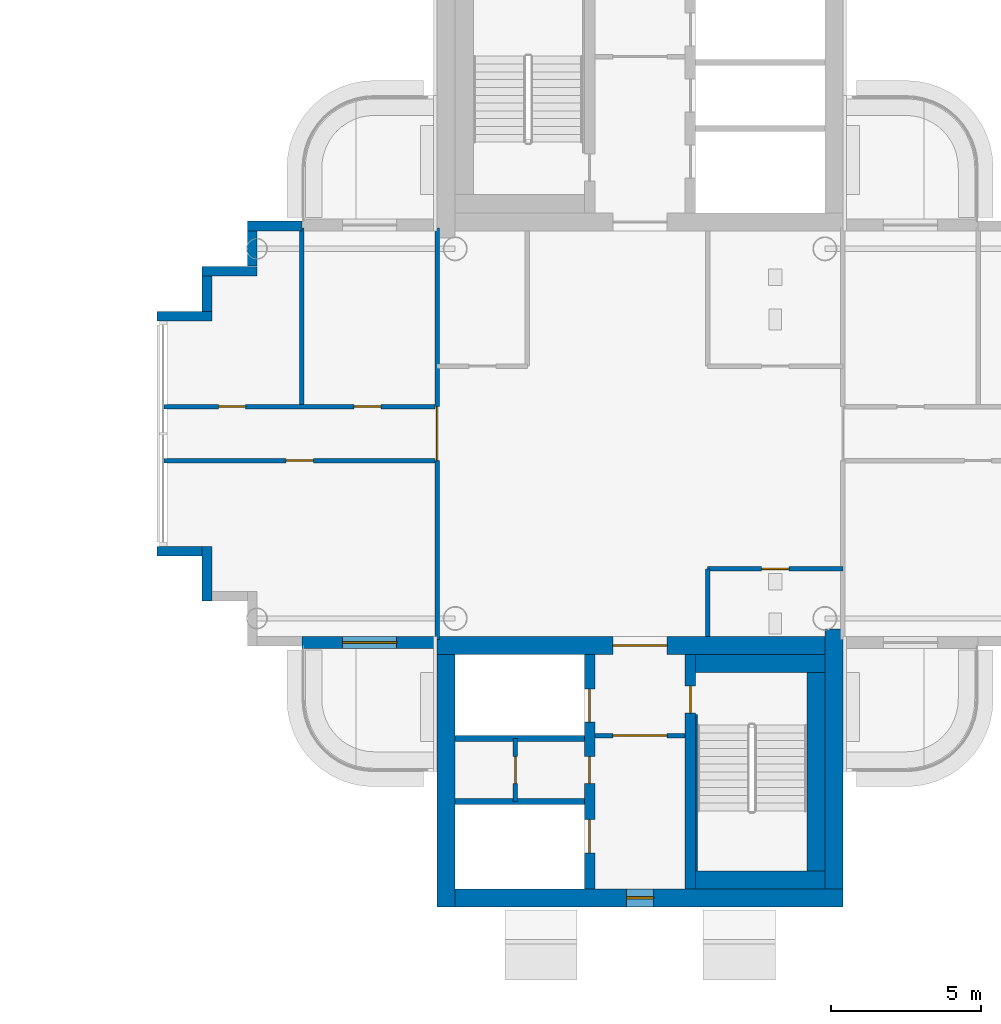
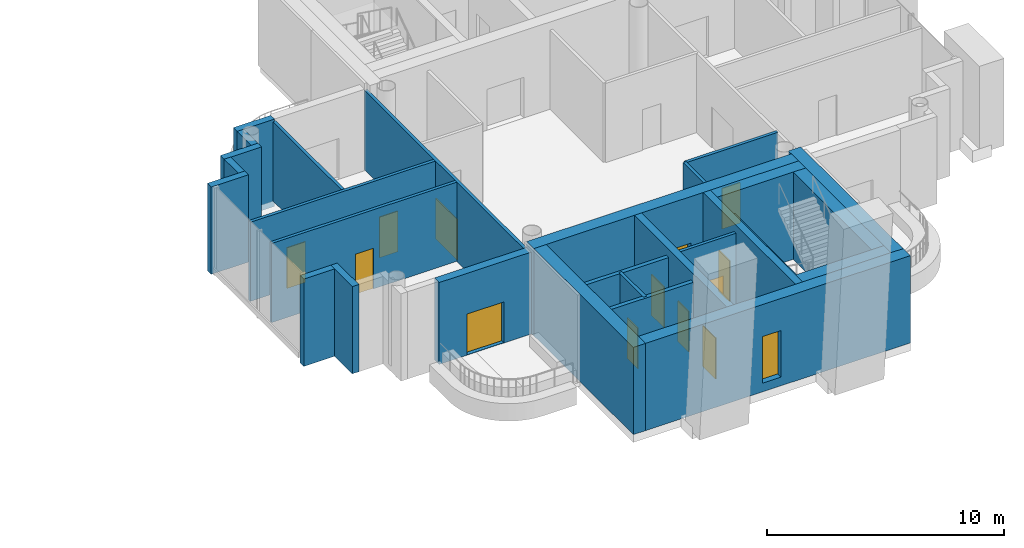
# One storey, part 9 of 20: 28 walls, 13 doors, 1 window, 14 openings.
"""IFC4 building model written with IfcOpenShell, lengths in metres."""

from ifc_helpers import new_model, si_unit, direction, frame, frame_2d, origin, place, context, subcontext, project, spatial, rectangle, extrude, material, layer, layer_set, type_object, element, fill, save


model = new_model("IFC4")

# Units and contexts
model_context = context("Model", 3, precision=1e-05, world=origin(), true_north=direction((0.0, 1.0)))
body_context = subcontext(model_context, "Body", "Model", "MODEL_VIEW")
ifc_project = project(units=[si_unit("LENGTHUNIT", "METRE"), si_unit("AREAUNIT", "SQUARE_METRE"), si_unit("VOLUMEUNIT", "CUBIC_METRE"), si_unit("PLANEANGLEUNIT", "RADIAN"), si_unit("MASSUNIT", "GRAM", prefix="KILO")], contexts=[model_context])

# Site, building, storey
site_placement = place(None, origin())
site = spatial("IfcSite", under=ifc_project, at=site_placement, CompositionType="ELEMENT")
building_placement = place(site_placement, origin())
building = spatial("IfcBuilding", under=site, at=building_placement, Name="Ipe Terrace Towers", CompositionType="ELEMENT")
storey_placement = place(building_placement, frame((0.0, 0.0, 242.39990234375)))
storey = spatial("IfcBuildingStorey", under=building, at=storey_placement, Name="L67", CompositionType="ELEMENT", Elevation=242.39990234375)

# Wall, opening, door
ifc_material_1 = material(Name="Concrete C40/50 with buff precast cladding", Category="concrete")
ifc_layer_1 = layer(ifc_material_1, 0.39990234375)
ifc_layer_set_1 = layer_set([ifc_layer_1], Name="BALCONY BAY WALL 400")
wall_type_1 = type_object("IfcWallType", Name="BALCONY BAY WALL 400", PredefinedType="STANDARD", material=ifc_layer_set_1)
wall_1_placement = place(storey_placement, frame((24.75, -6.949951171875, -0.02001953125), z_axis=(0.0, 0.0, 1.0), x_axis=(1.0, 0.0, 0.0)))
wall_1 = element("IfcWall", 1, at=wall_1_placement, inside=storey, type_object=wall_type_1, Name="T2-W-L67-32a wall", PredefinedType="STANDARD", context=body_context, shape_type="SweptSolid", body=[
    extrude(rectangle(XDim=4.5, YDim=0.39990234375, at=frame_2d((2.25, 0.0))), origin(), (0.0, 0.0, 1.0), 4.22021484375),
])
opening_1_placement = place(wall_1_placement, frame((1.35009765625, 0.0, 0.02001953125)))
opening_1 = element("IfcOpeningElement", 2, at=opening_1_placement, cuts=wall_1, Name="Opening T2-D-L67-32", PredefinedType="OPENING", context=body_context, shape_type="SweptSolid", body=[
    extrude(rectangle(XDim=1.800048828125, YDim=2.10009765625, at=frame_2d((0.89990234375, 1.050048828125))), frame((0.0, 0.2099609375, 0.0), z_axis=(0.0, -1.0, 0.0), x_axis=(1.0, 0.0, 0.0)), (0.0, 0.0, 1.0), 0.419921875),
])
ifc_material_2 = material(Name="Aluminium alloy 6063-T6 framed glazed door", Category="aluminium")
door_type_1 = type_object("IfcDoorType", Name="BALCONY DOOR 1800 x 2100 RIGHT", OperationType="SINGLE_SWING_RIGHT", PredefinedType="DOOR", material=ifc_material_2)
door_1_placement = place(opening_1_placement, origin())
door_1 = element("IfcDoor", 3, at=door_1_placement, inside=storey, type_object=door_type_1, Name="DB2 door", OperationType="SINGLE_SWING_RIGHT", OverallHeight=2.10009765625, OverallWidth=1.800048828125, PredefinedType="DOOR", context=body_context, shape_type="SweptSolid", body=[
    extrude(rectangle(XDim=1.800048828125, YDim=2.10009765625, at=frame_2d((0.89990234375, 1.050048828125))), frame((0.0, 0.02490234375, 0.0), z_axis=(0.0, -1.0, 0.0), x_axis=(1.0, 0.0, 0.0)), (0.0, 0.0, 1.0), 0.050048828125),
])
fill(opening_1, door_1)

# Walls
ifc_material_3 = material(Name="Concrete C40/50 with buff precast cladding", Category="concrete")
ifc_layer_2 = layer(ifc_material_3, 0.320068359375)
ifc_layer_set_2 = layer_set([ifc_layer_2], Name="BUFF CLADDING WALL 320")
wall_type_2 = type_object("IfcWallType", Name="BUFF CLADDING WALL 320", PredefinedType="STANDARD", material=ifc_layer_set_2)
wall_2_placement = place(storey_placement, frame((24.75, 6.909912109375, -0.2998046875), z_axis=(0.0, 0.0, 1.0), x_axis=(-1.0, 0.0, 0.0)))
element("IfcWall", 4, at=wall_2_placement, inside=storey, type_object=wall_type_2, Name="T2-W-L67-21a wall", PredefinedType="STANDARD", context=body_context, shape_type="SweptSolid", body=[
    extrude(rectangle(XDim=1.820068359375, YDim=0.320068359375, at=frame_2d((0.91015625, 0.0))), origin(), (0.0, 0.0, 1.0), 4.5),
])
wall_3_placement = place(storey_placement, frame((23.090087890625, 6.75, -0.2998046875), z_axis=(0.0, 0.0, 1.0), x_axis=(0.0, -1.0, 0.0)))
element("IfcWall", 5, at=wall_3_placement, inside=storey, type_object=wall_type_2, Name="T2-W-L67-22a wall", PredefinedType="STANDARD", context=body_context, shape_type="SweptSolid", body=[
    extrude(rectangle(XDim=1.179931640625, YDim=0.320068359375, at=frame_2d((0.58984375, 0.0))), origin(), (0.0, 0.0, 1.0), 4.5),
])
wall_4_placement = place(storey_placement, frame((23.25, 5.409912109375, -0.2998046875), z_axis=(0.0, 0.0, 1.0), x_axis=(-1.0, 0.0, 0.0)))
element("IfcWall", 6, at=wall_4_placement, inside=storey, type_object=wall_type_2, Name="T2-W-L67-23a wall", PredefinedType="STANDARD", context=body_context, shape_type="SweptSolid", body=[
    extrude(rectangle(XDim=1.820068359375, YDim=0.320068359375, at=frame_2d((0.91015625, 0.0))), origin(), (0.0, 0.0, 1.0), 4.5),
])
wall_5_placement = place(storey_placement, frame((21.590087890625, 5.25, -0.2998046875), z_axis=(0.0, 0.0, 1.0), x_axis=(0.0, -1.0, 0.0)))
element("IfcWall", 7, at=wall_5_placement, inside=storey, type_object=wall_type_2, Name="T2-W-L67-24a wall", PredefinedType="STANDARD", context=body_context, shape_type="SweptSolid", body=[
    extrude(rectangle(XDim=1.179931640625, YDim=0.320068359375, at=frame_2d((0.58984375, 0.0))), origin(), (0.0, 0.0, 1.0), 4.5),
])
wall_6_placement = place(storey_placement, frame((21.75, 3.909912109375, -0.2998046875), z_axis=(0.0, 0.0, 1.0), x_axis=(-1.0, 0.0, 0.0)))
element("IfcWall", 8, at=wall_6_placement, inside=storey, type_object=wall_type_2, Name="T2-W-L67-25a wall", PredefinedType="STANDARD", context=body_context, shape_type="SweptSolid", body=[
    extrude(rectangle(XDim=1.820068359375, YDim=0.320068359375, at=frame_2d((0.91015625, 0.0))), origin(), (0.0, 0.0, 1.0), 4.5),
])
wall_7_placement = place(storey_placement, frame((19.929931640625, -3.909912109375, -0.2998046875), z_axis=(0.0, 0.0, 1.0), x_axis=(1.0, 0.0, 0.0)))
element("IfcWall", 9, at=wall_7_placement, inside=storey, type_object=wall_type_2, Name="T2-W-L67-27a wall", PredefinedType="STANDARD", context=body_context, shape_type="SweptSolid", body=[
    extrude(rectangle(XDim=1.5, YDim=0.320068359375, at=frame_2d((0.75, 0.0))), origin(), (0.0, 0.0, 1.0), 4.5),
])
wall_8_placement = place(storey_placement, frame((21.590087890625, -3.75, -0.2998046875), z_axis=(0.0, 0.0, 1.0), x_axis=(0.0, -1.0, 0.0)))
element("IfcWall", 10, at=wall_8_placement, inside=storey, type_object=wall_type_2, Name="T2-W-L67-28a wall", PredefinedType="STANDARD", context=body_context, shape_type="SweptSolid", body=[
    extrude(rectangle(XDim=1.820068359375, YDim=0.320068359375, at=frame_2d((0.91015625, 0.0))), origin(), (0.0, 0.0, 1.0), 4.5),
])

# Wall, opening, door
ifc_material_4 = material(Name="Gypsum board partition", Category="plasterboard")
ifc_layer_3 = layer(ifc_material_4, 0.14990234375)
ifc_layer_set_3 = layer_set([ifc_layer_3], Name="Gypsum board partition 150 mm")
wall_type_3 = type_object("IfcWallType", Name="Gypsum board partition 150 mm", PredefinedType="PARTITIONING", material=ifc_layer_set_3)
wall_9_placement = place(storey_placement, frame((34.5, -10.050048828125, 0.0), z_axis=(0.0, 0.0, 1.0), x_axis=(1.0, 0.0, 0.0)))
wall_9 = element("IfcWall", 11, at=wall_9_placement, inside=storey, type_object=wall_type_3, Name="Gypsum board partition T2 L67 t2c2-lobby-wall", PredefinedType="PARTITIONING", context=body_context, shape_type="SweptSolid", body=[
    extrude(rectangle(XDim=3.0, YDim=0.14990234375, at=frame_2d((1.5, 0.0))), origin(), (0.0, 0.0, 1.0), 4.080078125),
])
opening_2_placement = place(wall_9_placement, frame((0.60009765625, 0.0, 0.0)))
opening_2 = element("IfcOpeningElement", 12, at=opening_2_placement, cuts=wall_9, Name="Opening T2C2-VD", PredefinedType="OPENING", context=body_context, shape_type="SweptSolid", body=[
    extrude(rectangle(XDim=1.800048828125, YDim=2.10009765625, at=frame_2d((0.89990234375, 1.050048828125))), frame((0.0, 0.0849609375, 0.0), z_axis=(0.0, -1.0, 0.0), x_axis=(1.0, 0.0, 0.0)), (0.0, 0.0, 1.0), 0.169921875),
])
ifc_material_5 = material(Name="Fire-rated timber door leaf", Category="wood")
door_type_2 = type_object("IfcDoorType", Name="Lobby door 1800 x 2100 FD60", OperationType="NOTDEFINED", PredefinedType="DOOR", material=ifc_material_5)
door_2_placement = place(opening_2_placement, origin())
door_2 = element("IfcDoor", 13, at=door_2_placement, inside=storey, type_object=door_type_2, Name="Lobby door T2C2-VD", OperationType="SINGLE_SWING_LEFT", OverallHeight=2.10009765625, OverallWidth=1.800048828125, PredefinedType="DOOR", context=body_context, shape_type="SweptSolid", body=[
    extrude(rectangle(XDim=1.800048828125, YDim=2.10009765625, at=frame_2d((0.89990234375, 1.050048828125))), frame((0.0, 0.02490234375, 0.0), z_axis=(0.0, -1.0, 0.0), x_axis=(1.0, 0.0, 0.0)), (0.0, 0.0, 1.0), 0.050048828125),
])
fill(opening_2, door_2)

wall_10_placement = place(storey_placement, frame((31.85009765625, -10.14990234375, 0.0), z_axis=(0.0, 0.0, 1.0), x_axis=(0.0, -1.0, 0.0)))
wall_10 = element("IfcWall", 14, at=wall_10_placement, inside=storey, type_object=wall_type_3, Name="Gypsum board partition T2 L67 t2c2-q-back", PredefinedType="PARTITIONING", context=body_context, shape_type="SweptSolid", body=[
    extrude(rectangle(XDim=2.10009765625, YDim=0.14990234375, at=frame_2d((1.050048828125, 0.0))), origin(), (0.0, 0.0, 1.0), 4.080078125),
])
opening_3_placement = place(wall_10_placement, frame((0.60009765625, 0.0, 0.0)))
opening_3 = element("IfcOpeningElement", 15, at=opening_3_placement, cuts=wall_10, Name="Opening T2C2-RB", PredefinedType="OPENING", context=body_context, shape_type="SweptSolid", body=[
    extrude(rectangle(XDim=0.89990234375, YDim=2.10009765625, at=frame_2d((0.449951171875, 1.050048828125))), frame((0.0, 0.0849609375, 0.0), z_axis=(0.0, -1.0, 0.0), x_axis=(1.0, 0.0, 0.0)), (0.0, 0.0, 1.0), 0.169921875),
])
ifc_material_6 = material(Name="Fire-rated timber door leaf", Category="wood")
door_type_3 = type_object("IfcDoorType", Name="Service door 900 x 2100 FD60", OperationType="NOTDEFINED", PredefinedType="DOOR", material=ifc_material_6)
door_3_placement = place(opening_3_placement, origin())
door_3 = element("IfcDoor", 16, at=door_3_placement, inside=storey, type_object=door_type_3, Name="Service door T2C2-RB", OperationType="SINGLE_SWING_LEFT", OverallHeight=2.10009765625, OverallWidth=0.89990234375, PredefinedType="DOOR", context=body_context, shape_type="SweptSolid", body=[
    extrude(rectangle(XDim=0.89990234375, YDim=2.10009765625, at=frame_2d((0.449951171875, 1.050048828125))), frame((0.0, 0.02490234375, 0.0), z_axis=(0.0, -1.0, 0.0), x_axis=(1.0, 0.0, 0.0)), (0.0, 0.0, 1.0), 0.050048828125),
])
fill(opening_3, door_3)

wall_11_placement = place(storey_placement, frame((42.75, -4.5, 0.0), z_axis=(0.0, 0.0, 1.0), x_axis=(-1.0, 0.0, 0.0)))
wall_11 = element("IfcWall", 17, at=wall_11_placement, inside=storey, type_object=wall_type_3, Name="Gypsum board partition T2 L67 sp-csw-x", PredefinedType="PARTITIONING", context=body_context, shape_type="SweptSolid", body=[
    extrude(rectangle(XDim=4.5, YDim=0.14990234375, at=frame_2d((2.25, 0.0))), origin(), (0.0, 0.0, 1.0), 4.080078125),
])
opening_4_placement = place(wall_11_placement, frame((1.800048828125, 0.0, 0.0)))
opening_4 = element("IfcOpeningElement", 18, at=opening_4_placement, cuts=wall_11, Name="Opening T2-SP-CSW", PredefinedType="OPENING", context=body_context, shape_type="SweptSolid", body=[
    extrude(rectangle(XDim=0.89990234375, YDim=2.10009765625, at=frame_2d((0.449951171875, 1.050048828125))), frame((0.0, 0.0849609375, 0.0), z_axis=(0.0, -1.0, 0.0), x_axis=(1.0, 0.0, 0.0)), (0.0, 0.0, 1.0), 0.169921875),
])
ifc_material_7 = material(Name="Timber door leaf", Category="wood")
door_type_4 = type_object("IfcDoorType", Name="Bathroom door 900 x 2100", OperationType="NOTDEFINED", PredefinedType="DOOR", material=ifc_material_7)
door_4_placement = place(opening_4_placement, origin())
door_4 = element("IfcDoor", 19, at=door_4_placement, inside=storey, type_object=door_type_4, Name="Bathroom door T2-SP-CSW", OperationType="SINGLE_SWING_LEFT", OverallHeight=2.10009765625, OverallWidth=0.89990234375, PredefinedType="DOOR", context=body_context, shape_type="SweptSolid", body=[
    extrude(rectangle(XDim=0.89990234375, YDim=2.10009765625, at=frame_2d((0.449951171875, 1.050048828125))), frame((0.0, 0.02490234375, 0.0), z_axis=(0.0, -1.0, 0.0), x_axis=(1.0, 0.0, 0.0)), (0.0, 0.0, 1.0), 0.050048828125),
])
fill(opening_4, door_4)

# Wall
wall_12_placement = place(storey_placement, frame((38.25, -6.75, 0.0), z_axis=(0.0, 0.0, 1.0), x_axis=(0.0, 1.0, 0.0)))
element("IfcWall", 20, at=wall_12_placement, inside=storey, type_object=wall_type_3, Name="Gypsum board partition T2 L67 sp-csw-y", PredefinedType="PARTITIONING", context=body_context, shape_type="SweptSolid", body=[
    extrude(rectangle(XDim=2.25, YDim=0.14990234375, at=frame_2d((1.125, 0.0))), origin(), (0.0, 0.0, 1.0), 4.080078125),
])

# Wall, opening, door
wall_13_placement = place(storey_placement, frame((29.25, -6.85009765625, 0.0), z_axis=(0.0, 0.0, 1.0), x_axis=(0.0, 1.0, 0.0)))
wall_13 = element("IfcWall", 21, at=wall_13_placement, inside=storey, type_object=wall_type_3, Name="Gypsum board partition T2 L67 sp-Sp-mouth", PredefinedType="PARTITIONING", context=body_context, shape_type="SweptSolid", body=[
    extrude(rectangle(XDim=13.7001953125, YDim=0.14990234375, at=frame_2d((6.85009765625, 0.0))), origin(), (0.0, 0.0, 1.0), 4.080078125),
])
opening_5_placement = place(wall_13_placement, frame((5.949951171875, 0.0, 0.0)))
opening_5 = element("IfcOpeningElement", 22, at=opening_5_placement, cuts=wall_13, Name="Opening T2-SP-MSp", PredefinedType="OPENING", context=body_context, shape_type="SweptSolid", body=[
    extrude(rectangle(XDim=1.800048828125, YDim=2.10009765625, at=frame_2d((0.89990234375, 1.050048828125))), frame((0.0, 0.0849609375, 0.0), z_axis=(0.0, -1.0, 0.0), x_axis=(1.0, 0.0, 0.0)), (0.0, 0.0, 1.0), 0.169921875),
])
ifc_material_8 = material(Name="Fire-rated timber door leaf", Category="wood")
door_type_5 = type_object("IfcDoorType", Name="Lobby door 1800 x 2100 FD30S", OperationType="NOTDEFINED", PredefinedType="DOOR", material=ifc_material_8)
door_5_placement = place(opening_5_placement, origin())
door_5 = element("IfcDoor", 23, at=door_5_placement, inside=storey, type_object=door_type_5, Name="Lobby door T2-SP-MSp", OperationType="SINGLE_SWING_LEFT", OverallHeight=2.10009765625, OverallWidth=1.800048828125, PredefinedType="DOOR", context=body_context, shape_type="SweptSolid", body=[
    extrude(rectangle(XDim=1.800048828125, YDim=2.10009765625, at=frame_2d((0.89990234375, 1.050048828125))), frame((0.0, 0.02490234375, 0.0), z_axis=(0.0, -1.0, 0.0), x_axis=(1.0, 0.0, 0.0)), (0.0, 0.0, 1.0), 0.050048828125),
])
fill(opening_5, door_5)

# Wall, openings, doors
wall_14_placement = place(storey_placement, frame((29.175048828125, 0.89990234375, 0.0), z_axis=(0.0, 0.0, 1.0), x_axis=(-1.0, 0.0, 0.0)))
wall_14 = element("IfcWall", 24, at=wall_14_placement, inside=storey, type_object=wall_type_3, Name="Gypsum board partition T2 L67 sp-Sp-wp", PredefinedType="PARTITIONING", context=body_context, shape_type="SweptSolid", body=[
    extrude(rectangle(XDim=9.025146484375, YDim=0.14990234375, at=frame_2d((4.5126953125, 0.0))), origin(), (0.0, 0.0, 1.0), 4.080078125),
])
opening_6_placement = place(wall_14_placement, frame((1.800048828125, 0.0, 0.0)))
opening_6 = element("IfcOpeningElement", 25, at=opening_6_placement, cuts=wall_14, Name="Opening T2-SP-PSp1", PredefinedType="OPENING", context=body_context, shape_type="SweptSolid", body=[
    extrude(rectangle(XDim=0.89990234375, YDim=2.10009765625, at=frame_2d((0.449951171875, 1.050048828125))), frame((0.0, 0.0849609375, 0.0), z_axis=(0.0, -1.0, 0.0), x_axis=(1.0, 0.0, 0.0)), (0.0, 0.0, 1.0), 0.169921875),
])
opening_7_placement = place(wall_14_placement, frame((6.300048828125, 0.0, 0.0)))
opening_7 = element("IfcOpeningElement", 26, at=opening_7_placement, cuts=wall_14, Name="Opening T2-SP-PSp2-FD30S", PredefinedType="OPENING", context=body_context, shape_type="SweptSolid", body=[
    extrude(rectangle(XDim=0.89990234375, YDim=2.10009765625, at=frame_2d((0.449951171875, 1.050048828125))), frame((0.0, 0.0849609375, 0.0), z_axis=(0.0, -1.0, 0.0), x_axis=(1.0, 0.0, 0.0)), (0.0, 0.0, 1.0), 0.169921875),
])
ifc_material_9 = material(Name="Fire-rated timber door leaf", Category="wood")
door_type_6 = type_object("IfcDoorType", Name="Lounge door 900 x 2100 FD30S", OperationType="NOTDEFINED", PredefinedType="DOOR", material=ifc_material_9)
door_6_placement = place(opening_6_placement, origin())
door_6 = element("IfcDoor", 27, at=door_6_placement, inside=storey, type_object=door_type_6, Name="Lounge door T2-SP-PSp1", OperationType="SINGLE_SWING_LEFT", OverallHeight=2.10009765625, OverallWidth=0.89990234375, PredefinedType="DOOR", context=body_context, shape_type="SweptSolid", body=[
    extrude(rectangle(XDim=0.89990234375, YDim=2.10009765625, at=frame_2d((0.449951171875, 1.050048828125))), frame((0.0, 0.02490234375, 0.0), z_axis=(0.0, -1.0, 0.0), x_axis=(1.0, 0.0, 0.0)), (0.0, 0.0, 1.0), 0.050048828125),
])
fill(opening_6, door_6)
door_7_placement = place(opening_7_placement, origin())
door_7 = element("IfcDoor", 28, at=door_7_placement, inside=storey, type_object=door_type_6, Name="Lounge door T2-SP-PSp2-FD30S", OperationType="SINGLE_SWING_RIGHT", OverallHeight=2.10009765625, OverallWidth=0.89990234375, PredefinedType="DOOR", context=body_context, shape_type="SweptSolid", body=[
    extrude(rectangle(XDim=0.89990234375, YDim=2.10009765625, at=frame_2d((0.449951171875, 1.050048828125))), frame((0.0, 0.02490234375, 0.0), z_axis=(0.0, -1.0, 0.0), x_axis=(1.0, 0.0, 0.0)), (0.0, 0.0, 1.0), 0.050048828125),
])
fill(opening_7, door_7)

# Wall
wall_15_placement = place(storey_placement, frame((24.75, 0.97509765625, 0.0), z_axis=(0.0, 0.0, 1.0), x_axis=(0.0, 1.0, 0.0)))
element("IfcWall", 29, at=wall_15_placement, inside=storey, type_object=wall_type_3, Name="Gypsum board partition T2 L67 sp-Sp-dp1", PredefinedType="PARTITIONING", context=body_context, shape_type="SweptSolid", body=[
    extrude(rectangle(XDim=5.875, YDim=0.14990234375, at=frame_2d((2.9375, 0.0))), origin(), (0.0, 0.0, 1.0), 4.080078125),
])

# Wall, opening, door
wall_16_placement = place(storey_placement, frame((29.175048828125, -0.89990234375, 0.0), z_axis=(0.0, 0.0, 1.0), x_axis=(-1.0, 0.0, 0.0)))
wall_16 = element("IfcWall", 30, at=wall_16_placement, inside=storey, type_object=wall_type_3, Name="Gypsum board partition T2 L67 sp-Sp-wm", PredefinedType="PARTITIONING", context=body_context, shape_type="SweptSolid", body=[
    extrude(rectangle(XDim=9.025146484375, YDim=0.14990234375, at=frame_2d((4.5126953125, 0.0))), origin(), (0.0, 0.0, 1.0), 4.080078125),
])
opening_8_placement = place(wall_16_placement, frame((4.050048828125, 0.0, 0.0)))
opening_8 = element("IfcOpeningElement", 31, at=opening_8_placement, cuts=wall_16, Name="Opening T2-SP-MSp1", PredefinedType="OPENING", context=body_context, shape_type="SweptSolid", body=[
    extrude(rectangle(XDim=0.89990234375, YDim=2.10009765625, at=frame_2d((0.449951171875, 1.050048828125))), frame((0.0, 0.0849609375, 0.0), z_axis=(0.0, -1.0, 0.0), x_axis=(1.0, 0.0, 0.0)), (0.0, 0.0, 1.0), 0.169921875),
])
door_8_placement = place(opening_8_placement, origin())
door_8 = element("IfcDoor", 32, at=door_8_placement, inside=storey, type_object=door_type_6, Name="Lounge door T2-SP-MSp1", OperationType="SINGLE_SWING_RIGHT", OverallHeight=2.10009765625, OverallWidth=0.89990234375, PredefinedType="DOOR", context=body_context, shape_type="SweptSolid", body=[
    extrude(rectangle(XDim=0.89990234375, YDim=2.10009765625, at=frame_2d((0.449951171875, 1.050048828125))), frame((0.0, 0.02490234375, 0.0), z_axis=(0.0, -1.0, 0.0), x_axis=(1.0, 0.0, 0.0)), (0.0, 0.0, 1.0), 0.050048828125),
])
fill(opening_8, door_8)

# Walls
ifc_material_10 = material(Name="Gypsum board party wall", Category="plasterboard")
ifc_layer_4 = layer(ifc_material_10, 0.199951171875)
ifc_layer_set_4 = layer_set([ifc_layer_4], Name="Gypsum board party wall 200 mm")
wall_type_4 = type_object("IfcWallType", Name="Gypsum board party wall 200 mm", PredefinedType="SOLIDWALL", material=ifc_layer_set_4)
for number, where, z_axis, x_axis, name in (
    (33, (29.85009765625, -12.25, 0.0), (0.0, 0.0, 1.0), (1.0, 0.0, 0.0), "Gypsum board party wall T2 L67 t2c2-shaft-div2"),
    (34, (29.85009765625, -10.14990234375, 0.0), (0.0, 0.0, 1.0), (1.0, 0.0, 0.0), "Gypsum board party wall T2 L67 t2c2-shaft-div1"),
):
    element("IfcWall", number, at=place(storey_placement, frame(where, z_axis=z_axis, x_axis=x_axis)), inside=storey, type_object=wall_type_4, Name=name, PredefinedType="SOLIDWALL", context=body_context, shape_type="SweptSolid", body=[
        extrude(rectangle(XDim=4.2998046875, YDim=0.199951171875, at=frame_2d((2.14990234375, 0.0))), origin(), (0.0, 0.0, 1.0), 4.080078125),
    ])

# Wall, openings, doors
ifc_material_11 = material(Name="Concrete C40/50", Category="concrete")
ifc_layer_5 = layer(ifc_material_11, 0.35009765625)
ifc_layer_set_5 = layer_set([ifc_layer_5], Name="RW350 CORE SPINE WALL 350 C40-50")
wall_type_5 = type_object("IfcWallType", Name="RW350 CORE SPINE WALL 350 C40-50", PredefinedType="SHEAR", material=ifc_layer_set_5)
wall_17_placement = place(storey_placement, frame((34.324951171875, -15.14990234375, 0.0), z_axis=(0.0, 0.0, 1.0), x_axis=(0.0, 1.0, 0.0)))
wall_17 = element("IfcWall", 35, at=wall_17_placement, inside=storey, type_object=wall_type_5, Name="Core spine wall T2-C2-Z4-SW1", PredefinedType="SHEAR", context=body_context, shape_type="SweptSolid", body=[
    extrude(rectangle(XDim=7.7998046875, YDim=0.35009765625, at=frame_2d((3.89990234375, 0.0))), origin(), (0.0, 0.0, 1.0), 4.5),
])
opening_9_placement = place(wall_17_placement, frame((5.550048828125, 0.0, 0.0)))
opening_9 = element("IfcOpeningElement", 36, at=opening_9_placement, cuts=wall_17, Name="Opening T2C2-LD1", PredefinedType="OPENING", context=body_context, shape_type="SweptSolid", body=[
    extrude(rectangle(XDim=1.10009765625, YDim=2.10009765625, at=frame_2d((0.550048828125, 1.050048828125))), frame((0.0, 0.18505859375, 0.0), z_axis=(0.0, -1.0, 0.0), x_axis=(1.0, 0.0, 0.0)), (0.0, 0.0, 1.0), 0.3701171875),
])
opening_10_placement = place(wall_17_placement, frame((1.199951171875, 0.0, 0.0)))
opening_10 = element("IfcOpeningElement", 37, at=opening_10_placement, cuts=wall_17, Name="Opening T2C2-LD3", PredefinedType="OPENING", context=body_context, shape_type="SweptSolid", body=[
    extrude(rectangle(XDim=1.10009765625, YDim=2.10009765625, at=frame_2d((0.550048828125, 1.050048828125))), frame((0.0, 0.18505859375, 0.0), z_axis=(0.0, -1.0, 0.0), x_axis=(1.0, 0.0, 0.0)), (0.0, 0.0, 1.0), 0.3701171875),
])
opening_11_placement = place(wall_17_placement, frame((3.5, 0.0, 0.0)))
opening_11 = element("IfcOpeningElement", 38, at=opening_11_placement, cuts=wall_17, Name="Opening T2C2-R1", PredefinedType="OPENING", context=body_context, shape_type="SweptSolid", body=[
    extrude(rectangle(XDim=0.89990234375, YDim=2.10009765625, at=frame_2d((0.449951171875, 1.050048828125))), frame((0.0, 0.18505859375, 0.0), z_axis=(0.0, -1.0, 0.0), x_axis=(1.0, 0.0, 0.0)), (0.0, 0.0, 1.0), 0.3701171875),
])
ifc_material_12 = material(Name="Fire-rated timber door leaf", Category="wood")
door_type_7 = type_object("IfcDoorType", Name="Sliding door 1100 x 2100 FD60", OperationType="SLIDING_TO_LEFT", PredefinedType="DOOR", material=ifc_material_12)
door_9_placement = place(opening_9_placement, origin())
door_9 = element("IfcDoor", 39, at=door_9_placement, inside=storey, type_object=door_type_7, Name="Sliding door T2C2-LD1", OperationType="SLIDING_TO_LEFT", OverallHeight=2.10009765625, OverallWidth=1.10009765625, PredefinedType="DOOR", context=body_context, shape_type="SweptSolid", body=[
    extrude(rectangle(XDim=1.10009765625, YDim=2.10009765625, at=frame_2d((0.550048828125, 1.050048828125))), frame((0.0, 0.02490234375, 0.0), z_axis=(0.0, -1.0, 0.0), x_axis=(1.0, 0.0, 0.0)), (0.0, 0.0, 1.0), 0.050048828125),
])
fill(opening_9, door_9)
door_10_placement = place(opening_10_placement, origin())
door_10 = element("IfcDoor", 40, at=door_10_placement, inside=storey, type_object=door_type_7, Name="Sliding door T2C2-LD3", OperationType="SLIDING_TO_LEFT", OverallHeight=2.10009765625, OverallWidth=1.10009765625, PredefinedType="DOOR", context=body_context, shape_type="SweptSolid", body=[
    extrude(rectangle(XDim=1.10009765625, YDim=2.10009765625, at=frame_2d((0.550048828125, 1.050048828125))), frame((0.0, 0.02490234375, 0.0), z_axis=(0.0, -1.0, 0.0), x_axis=(1.0, 0.0, 0.0)), (0.0, 0.0, 1.0), 0.050048828125),
])
fill(opening_10, door_10)
ifc_material_13 = material(Name="Timber door leaf", Category="wood")
door_type_8 = type_object("IfcDoorType", Name="Store door 900 x 2100", OperationType="NOTDEFINED", PredefinedType="DOOR", material=ifc_material_13)
door_11_placement = place(opening_11_placement, origin())
door_11 = element("IfcDoor", 41, at=door_11_placement, inside=storey, type_object=door_type_8, Name="Store door T2C2-R1", OperationType="SINGLE_SWING_LEFT", OverallHeight=2.10009765625, OverallWidth=0.89990234375, PredefinedType="DOOR", context=body_context, shape_type="SweptSolid", body=[
    extrude(rectangle(XDim=0.89990234375, YDim=2.10009765625, at=frame_2d((0.449951171875, 1.050048828125))), frame((0.0, 0.02490234375, 0.0), z_axis=(0.0, -1.0, 0.0), x_axis=(1.0, 0.0, 0.0)), (0.0, 0.0, 1.0), 0.050048828125),
])
fill(opening_11, door_11)

# Wall, opening, door
wall_18_placement = place(storey_placement, frame((37.675048828125, -15.14990234375, 0.0), z_axis=(0.0, 0.0, 1.0), x_axis=(0.0, 1.0, 0.0)))
wall_18 = element("IfcWall", 42, at=wall_18_placement, inside=storey, type_object=wall_type_5, Name="Core spine wall T2-C2-Z4-SW2", PredefinedType="SHEAR", context=body_context, shape_type="SweptSolid", body=[
    extrude(rectangle(XDim=7.7998046875, YDim=0.35009765625, at=frame_2d((3.89990234375, 0.0))), origin(), (0.0, 0.0, 1.0), 4.5),
])
opening_12_placement = place(wall_18_placement, frame((5.85009765625, 0.0, 0.0)))
opening_12 = element("IfcOpeningElement", 43, at=opening_12_placement, cuts=wall_18, Name="Opening T2C2-SD", PredefinedType="OPENING", context=body_context, shape_type="SweptSolid", body=[
    extrude(rectangle(XDim=0.89990234375, YDim=2.10009765625, at=frame_2d((0.449951171875, 1.050048828125))), frame((0.0, 0.18505859375, 0.0), z_axis=(0.0, -1.0, 0.0), x_axis=(1.0, 0.0, 0.0)), (0.0, 0.0, 1.0), 0.3701171875),
])
ifc_material_14 = material(Name="Fire-rated timber door leaf", Category="wood")
door_type_9 = type_object("IfcDoorType", Name="Stair door 900 x 2100 FD60", OperationType="NOTDEFINED", PredefinedType="DOOR", material=ifc_material_14)
door_12_placement = place(opening_12_placement, origin())
door_12 = element("IfcDoor", 44, at=door_12_placement, inside=storey, type_object=door_type_9, Name="Stair door T2C2-SD", OperationType="SINGLE_SWING_RIGHT", OverallHeight=2.10009765625, OverallWidth=0.89990234375, PredefinedType="DOOR", context=body_context, shape_type="SweptSolid", body=[
    extrude(rectangle(XDim=0.89990234375, YDim=2.10009765625, at=frame_2d((0.449951171875, 1.050048828125))), frame((0.0, 0.02490234375, 0.0), z_axis=(0.0, -1.0, 0.0), x_axis=(1.0, 0.0, 0.0)), (0.0, 0.0, 1.0), 0.050048828125),
])
fill(opening_12, door_12)

# Walls
ifc_material_15 = material(Name="Concrete C40/50", Category="concrete")
ifc_layer_6 = layer(ifc_material_15, 0.050048828125)
ifc_layer_set_6 = layer_set([ifc_layer_6], Name="RW50 CORE INFILL WALL 50 C40-50")
wall_type_6 = type_object("IfcWallType", Name="RW50 CORE INFILL WALL 50 C40-50", PredefinedType="SHEAR", material=ifc_layer_set_6)
wall_19_placement = place(storey_placement, frame((37.875, -9.35009765625, 0.0), z_axis=(0.0, 0.0, 1.0), x_axis=(0.0, -1.0, 0.0)))
element("IfcWall", 45, at=wall_19_placement, inside=storey, type_object=wall_type_6, Name="Core infill wall T2-C2-spine-b", PredefinedType="SHEAR", context=body_context, shape_type="SweptSolid", body=[
    extrude(rectangle(XDim=5.199951171875, YDim=0.050048828125, at=frame_2d((2.60009765625, 0.0))), origin(), (0.0, 0.0, 1.0), 4.5),
])
ifc_material_16 = material(Name="Concrete C40/50", Category="concrete")
ifc_layer_7 = layer(ifc_material_16, 0.60009765625)
ifc_layer_set_7 = layer_set([ifc_layer_7], Name="RW600 CORE INFILL WALL 600 C40-50")
wall_type_7 = type_object("IfcWallType", Name="RW600 CORE INFILL WALL 600 C40-50", PredefinedType="SHEAR", material=ifc_layer_set_7)
wall_20_placement = place(storey_placement, frame((37.85009765625, -14.85009765625, 0.0), z_axis=(0.0, 0.0, 1.0), x_axis=(1.0, 0.0, 0.0)))
element("IfcWall", 46, at=wall_20_placement, inside=storey, type_object=wall_type_7, Name="Core infill wall T2-C2-far", PredefinedType="SHEAR", context=body_context, shape_type="SweptSolid", body=[
    extrude(rectangle(XDim=4.2998046875, YDim=0.60009765625, at=frame_2d((2.14990234375, 0.0))), origin(), (0.0, 0.0, 1.0), 4.5),
])
wall_21_placement = place(storey_placement, frame((41.85009765625, -7.949951171875, 0.0), z_axis=(0.0, 0.0, 1.0), x_axis=(0.0, -1.0, 0.0)))
element("IfcWall", 47, at=wall_21_placement, inside=storey, type_object=wall_type_7, Name="Core infill wall T2-C2-back", PredefinedType="SHEAR", context=body_context, shape_type="SweptSolid", body=[
    extrude(rectangle(XDim=6.60009765625, YDim=0.60009765625, at=frame_2d((3.300048828125, 0.0))), origin(), (0.0, 0.0, 1.0), 4.5),
])
wall_22_placement = place(storey_placement, frame((37.85009765625, -7.64990234375, 0.0), z_axis=(0.0, 0.0, 1.0), x_axis=(1.0, 0.0, 0.0)))
element("IfcWall", 48, at=wall_22_placement, inside=storey, type_object=wall_type_7, Name="Core infill wall T2-C2-near", PredefinedType="SHEAR", context=body_context, shape_type="SweptSolid", body=[
    extrude(rectangle(XDim=4.2998046875, YDim=0.60009765625, at=frame_2d((2.14990234375, 0.0))), origin(), (0.0, 0.0, 1.0), 4.5),
])

# Wall, opening, window
ifc_material_17 = material(Name="Concrete C40/50", Category="concrete")
ifc_layer_8 = layer(ifc_material_17, 0.60009765625)
ifc_layer_set_8 = layer_set([ifc_layer_8], Name="RW600 CORE WALL 600 C40-50")
wall_type_8 = type_object("IfcWallType", Name="RW600 CORE WALL 600 C40-50", PredefinedType="SHEAR", material=ifc_layer_set_8)
wall_23_placement = place(storey_placement, frame((29.85009765625, -15.449951171875, 0.0), z_axis=(0.0, 0.0, 1.0), x_axis=(1.0, 0.0, 0.0)))
wall_23 = element("IfcWall", 49, at=wall_23_placement, inside=storey, type_object=wall_type_8, Name="Core wall T2-C2-Z4-W01", PredefinedType="SHEAR", context=body_context, shape_type="SweptSolid", body=[
    extrude(rectangle(XDim=12.89990234375, YDim=0.60009765625, at=frame_2d((6.449951171875, 0.0))), origin(), (0.0, 0.0, 1.0), 4.5),
])
opening_13_placement = place(wall_23_placement, frame((5.699951171875, 0.0, 0.449951171875)))
opening_13 = element("IfcOpeningElement", 50, at=opening_13_placement, cuts=wall_23, Name="Opening T2-C2-W-01-L67", PredefinedType="OPENING", context=body_context, shape_type="SweptSolid", body=[
    extrude(rectangle(XDim=0.89990234375, YDim=2.39990234375, at=frame_2d((0.449951171875, 1.199951171875))), frame((0.0, 0.31005859375, 0.0), z_axis=(0.0, -1.0, 0.0), x_axis=(1.0, 0.0, 0.0)), (0.0, 0.0, 1.0), 0.6201171875),
])
ifc_material_18 = material(Name="Fire-resistant glazing EI 60", Category="glass")
window_type = type_object("IfcWindowType", Name="CORRIDOR END SLOT WINDOW 900 x 2400 EI 60", PartitioningType="SINGLE_PANEL", PredefinedType="WINDOW", material=ifc_material_18)
window_placement = place(opening_13_placement, origin())
window = element("IfcWindow", 51, at=window_placement, inside=storey, type_object=window_type, Name="W-01 window", OverallHeight=2.39990234375, OverallWidth=0.89990234375, PartitioningType="SINGLE_PANEL", PredefinedType="WINDOW", context=body_context, shape_type="SweptSolid", body=[
    extrude(rectangle(XDim=0.89990234375, YDim=2.39990234375, at=frame_2d((0.449951171875, 1.199951171875))), frame((0.0, 0.030029296875, 0.0), z_axis=(0.0, -1.0, 0.0), x_axis=(1.0, 0.0, 0.0)), (0.0, 0.0, 1.0), 0.06005859375),
])
fill(opening_13, window)

# Wall
wall_24_placement = place(storey_placement, frame((42.449951171875, -15.14990234375, 0.0), z_axis=(0.0, 0.0, 1.0), x_axis=(0.0, 1.0, 0.0)))
element("IfcWall", 52, at=wall_24_placement, inside=storey, type_object=wall_type_8, Name="Core wall T2-C2-Z4-W02", PredefinedType="SHEAR", context=body_context, shape_type="SweptSolid", body=[
    extrude(rectangle(XDim=8.64794921875, YDim=0.60009765625, at=frame_2d((4.323974609375, 0.0))), origin(), (0.0, 0.0, 1.0), 4.5),
])

# Wall, opening, door
wall_25_placement = place(storey_placement, frame((42.14990234375, -7.050048828125, 0.0), z_axis=(0.0, 0.0, 1.0), x_axis=(-1.0, 0.0, 0.0)))
wall_25 = element("IfcWall", 53, at=wall_25_placement, inside=storey, type_object=wall_type_8, Name="Core wall T2-C2-Z4-W03", PredefinedType="SHEAR", context=body_context, shape_type="SweptSolid", body=[
    extrude(rectangle(XDim=12.89990234375, YDim=0.60009765625, at=frame_2d((6.449951171875, 0.0))), origin(), (0.0, 0.0, 1.0), 4.5),
])
opening_14_placement = place(wall_25_placement, frame((5.25, 0.0, 0.0)))
opening_14 = element("IfcOpeningElement", 54, at=opening_14_placement, cuts=wall_25, Name="Opening T2C2-ND", PredefinedType="OPENING", context=body_context, shape_type="SweptSolid", body=[
    extrude(rectangle(XDim=1.800048828125, YDim=2.10009765625, at=frame_2d((0.89990234375, 1.050048828125))), frame((0.0, 0.31005859375, 0.0), z_axis=(0.0, -1.0, 0.0), x_axis=(1.0, 0.0, 0.0)), (0.0, 0.0, 1.0), 0.6201171875),
])
ifc_material_19 = material(Name="Fire-rated timber door leaf", Category="wood")
door_type_10 = type_object("IfcDoorType", Name="Fire door 1800 x 2100 FD30S", OperationType="NOTDEFINED", PredefinedType="DOOR", material=ifc_material_19)
door_13_placement = place(opening_14_placement, origin())
door_13 = element("IfcDoor", 55, at=door_13_placement, inside=storey, type_object=door_type_10, Name="Fire door T2C2-ND", OperationType="SINGLE_SWING_LEFT", OverallHeight=2.10009765625, OverallWidth=1.800048828125, PredefinedType="DOOR", context=body_context, shape_type="SweptSolid", body=[
    extrude(rectangle(XDim=1.800048828125, YDim=2.10009765625, at=frame_2d((0.89990234375, 1.050048828125))), frame((0.0, 0.02490234375, 0.0), z_axis=(0.0, -1.0, 0.0), x_axis=(1.0, 0.0, 0.0)), (0.0, 0.0, 1.0), 0.050048828125),
])
fill(opening_14, door_13)

# Wall
wall_26_placement = place(storey_placement, frame((29.550048828125, -7.35009765625, 0.0), z_axis=(0.0, 0.0, 1.0), x_axis=(0.0, -1.0, 0.0)))
element("IfcWall", 56, at=wall_26_placement, inside=storey, type_object=wall_type_8, Name="Core wall T2-C2-Z4-W04", PredefinedType="SHEAR", context=body_context, shape_type="SweptSolid", body=[
    extrude(rectangle(XDim=8.39990234375, YDim=0.60009765625, at=frame_2d((4.199951171875, 0.0))), origin(), (0.0, 0.0, 1.0), 4.5),
])

save(model, "model.ifc")
